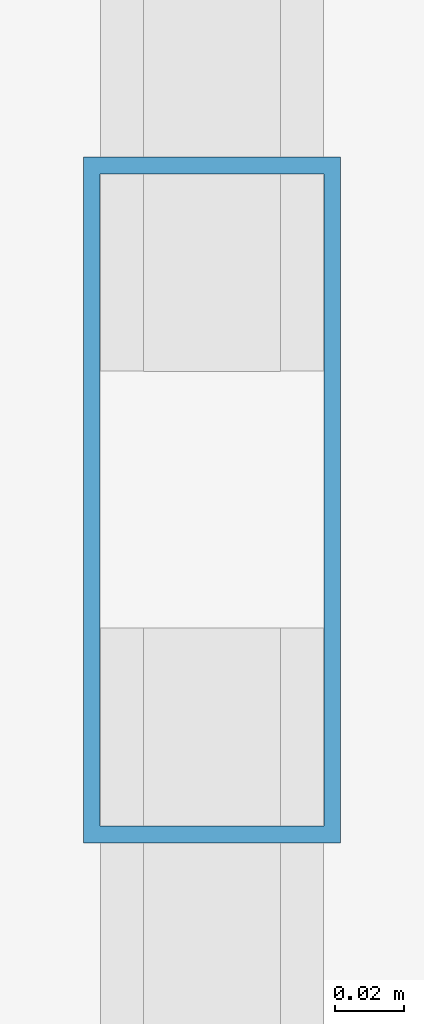
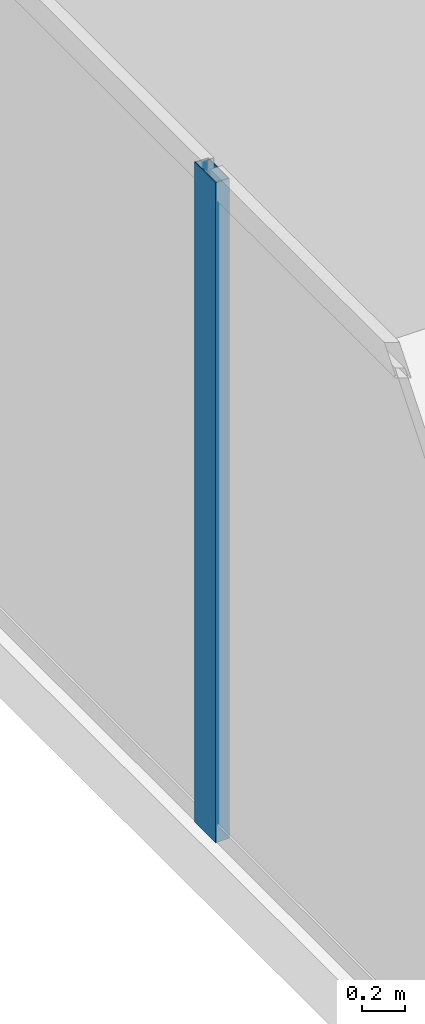
# One storey, part 8 of 30: 1 member, 1 element without a shape of its own.
"""IFC4 building model written with IfcOpenShell, lengths in metres."""

from ifc_helpers import new_model, si_unit, direction, frame, origin, origin_2d, place, context, subcontext, project, spatial, hollow_rectangle, extrude, source, transform, mapped, material, layer, layer_set, material_profile, profile_set, type_object, type_shapes, element, aggregate, save


model = new_model("IFC4")

# Units and contexts
model_context = context("Model", 3, precision=1e-05, world=origin(), true_north=direction((0.0, 1.0)))
body_context = subcontext(model_context, "Body", "Model", "MODEL_VIEW")
ifc_project = project(units=[si_unit("LENGTHUNIT", "METRE"), si_unit("AREAUNIT", "SQUARE_METRE"), si_unit("VOLUMEUNIT", "CUBIC_METRE"), si_unit("PLANEANGLEUNIT", "RADIAN"), si_unit("MASSUNIT", "GRAM", prefix="KILO")], contexts=[model_context])

# Site, building, storey
site_placement = place(None, origin())
site = spatial("IfcSite", under=ifc_project, at=site_placement, CompositionType="ELEMENT")
building_placement = place(site_placement, origin())
building = spatial("IfcBuilding", under=site, at=building_placement, Name="Haelvirn Gate Laboratories", CompositionType="ELEMENT")
storey_placement = place(building_placement, frame((0.0, 0.0, 187.10009765625)))
storey = spatial("IfcBuildingStorey", under=building, at=storey_placement, Name="L45", CompositionType="ELEMENT", Elevation=187.10009765625)

# Curtain wall, member
ifc_material_1 = material(Name="Anodised bronze unitised aluminium & triple low-E glass", Category="aluminium")
ifc_layer = layer(ifc_material_1, 0.179931640625, Name="CW-SYS-3")
ifc_layer_set = layer_set([ifc_layer], Name="Anodised bronze unitised aluminium & triple low-E glass")
curtain_wall_type = type_object("IfcCurtainWallType", Name="CW-SYS-3", PredefinedType="NOTDEFINED", material=ifc_layer_set)
curtain_wall_placement = place(storey_placement, origin())
curtain_wall = element("IfcCurtainWall", 1, at=curtain_wall_placement, inside=storey, type_object=curtain_wall_type, Name="L45 Unitised Curtain Wall CW-L45-P0-E17", PredefinedType="NOTDEFINED")
ifc_material_2 = material(Name="Extruded aluminium 6063-T6 (anodised bronze)", Category="aluminium")
ifc_material_profile = material_profile(ifc_material_2, hollow_rectangle(XDim=0.074951171875, YDim=0.199951171875, WallThickness=0.0048828125, at=origin_2d()), Name="CWM-200x75x5")
ifc_profile_set = profile_set([ifc_material_profile], Name="Extruded aluminium 6063-T6 (anodised bronze)")
member_type = type_object("IfcMemberType", Name="CWM-T200", PredefinedType="MULLION", material=ifc_profile_set)
shared_shape = source(origin(), body_context, "Body", "SweptSolid", [
    extrude(hollow_rectangle(XDim=0.074951171875, YDim=0.199951171875, WallThickness=0.0048828125, at=origin_2d()), origin(), (0.0, 0.0, 1.0), 3.789794921875),
])
type_shapes(member_type, [shared_shape])
member_placement = place(storey_placement, frame((2.10009765625, 30.966552734375, 0.0), z_axis=(0.0, 0.0, 1.0), x_axis=(1.0, 0.0, 0.0)))
member = element("IfcMember", 2, at=member_placement, type_object=member_type, Name="CW3 mullion 2", PredefinedType="MULLION", context=body_context, shape_type="MappedRepresentation", body=[
    mapped(shared_shape, transform((0.0, 0.0, 0.0), scale=1.0)),
])
aggregate(curtain_wall, [member])

save(model, "model.ifc")
